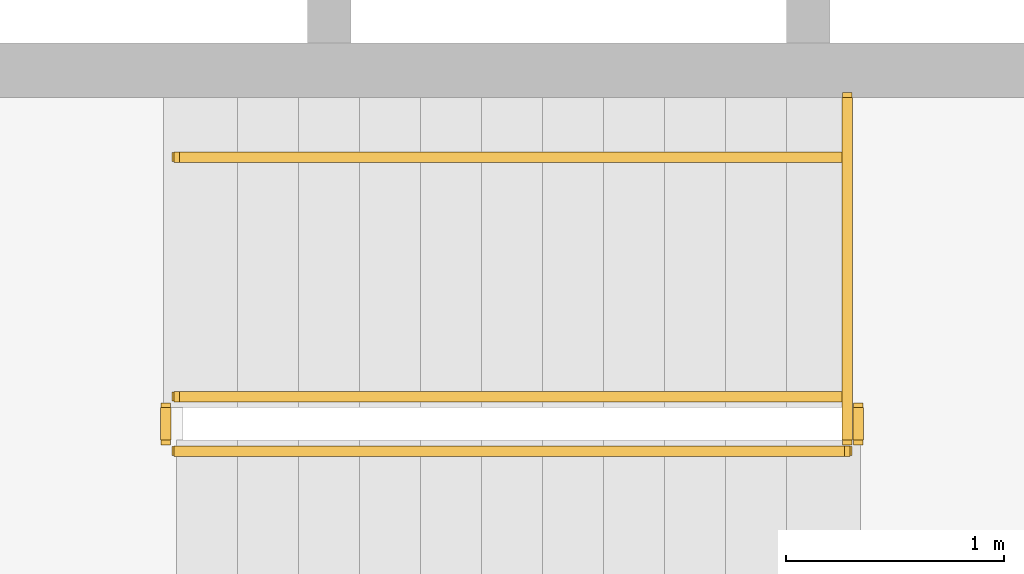
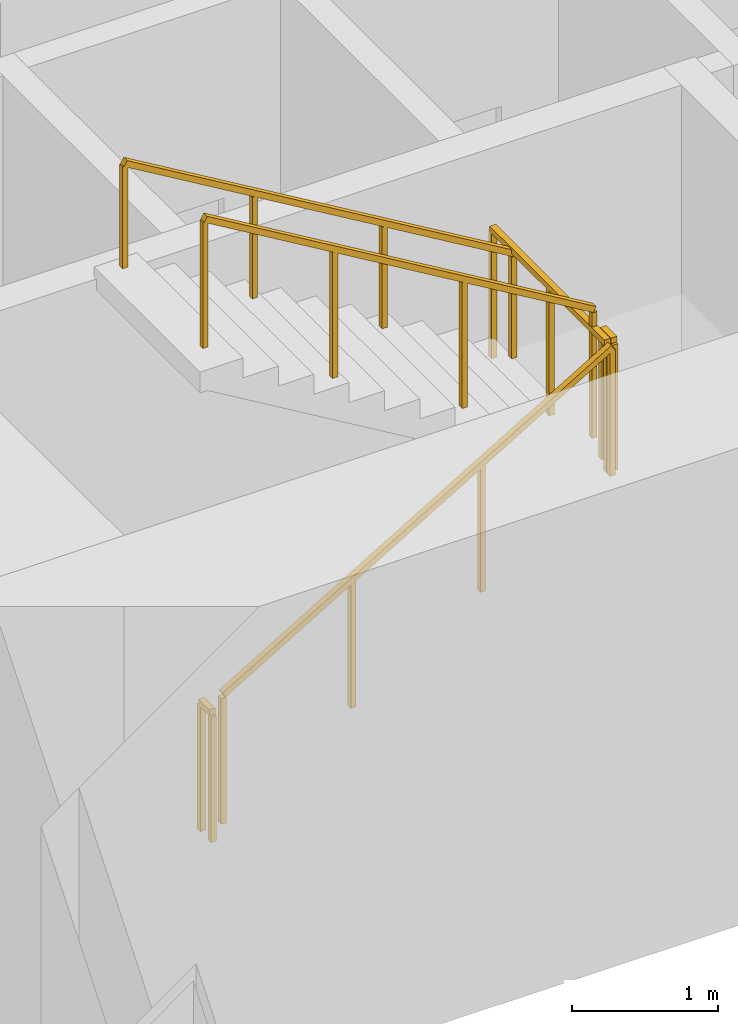
# One storey, part 13 of 16: 6 railings.
"""IFC4 building model written with IfcOpenShell, lengths in metres."""

from ifc_helpers import new_model, si_unit, direction, frame, origin, origin_2d, place, context, subcontext, project, spatial, rectangle, extrude, material, type_object, element, save


model = new_model("IFC4")

# Units and contexts
model_context = context("Model", 3, precision=1e-05, world=origin(), true_north=direction((0.0, 1.0)))
body_context = subcontext(model_context, "Body", "Model", "MODEL_VIEW")
ifc_project = project(units=[si_unit("LENGTHUNIT", "METRE"), si_unit("AREAUNIT", "SQUARE_METRE"), si_unit("VOLUMEUNIT", "CUBIC_METRE"), si_unit("PLANEANGLEUNIT", "RADIAN"), si_unit("MASSUNIT", "GRAM", prefix="KILO")], contexts=[model_context])

# Site, building, storey
site_placement = place(None, origin())
site = spatial("IfcSite", under=ifc_project, at=site_placement, CompositionType="ELEMENT")
building_placement = place(site_placement, origin())
building = spatial("IfcBuilding", under=site, at=building_placement, Name="Sennacour Bend Tower", CompositionType="ELEMENT")
storey_placement = place(building_placement, frame((0.0, 0.0, 127.0)))
storey = spatial("IfcBuildingStorey", under=building, at=storey_placement, Name="L29", CompositionType="ELEMENT", Elevation=127.0)

# Railings
ifc_material = material(Name="Stainless steel", Category="steel")
railing_type_1 = type_object("IfcRailingType", Name="RL-GUARD-1100", PredefinedType="GUARDRAIL", material=ifc_material)
railing_1_placement = place(storey_placement, frame((56.699951171875, 2.449951171875, 0.166748046875)))
element("IfcRailing", 1, at=railing_1_placement, inside=storey, type_object=railing_type_1, Name="L29 SA1 stair guard 1", PredefinedType="GUARDRAIL", context=body_context, shape_type="SweptSolid", body=[
    extrude(rectangle(XDim=0.048095703125, YDim=0.048095703125, at=origin_2d()), frame((0.0, 0.0, 1.076171875), z_axis=(0.859308565015, 0.0, 0.511457515432), x_axis=(0.0, 1.0, 0.0)), (0.0, 0.0, 1.0), 3.58447265625),
    extrude(rectangle(XDim=0.0419921875, YDim=0.0419921875, at=origin_2d()), origin(), (0.0, 0.0, 1.0), 1.052001953125),
    extrude(rectangle(XDim=0.0419921875, YDim=0.0419921875, at=origin_2d()), frame((1.026611328125, 0.0, 0.611083984375)), (0.0, 0.0, 1.0), 1.052001953125),
    extrude(rectangle(XDim=0.0419921875, YDim=0.0419921875, at=origin_2d()), frame((2.053466796875, 0.0, 1.22216796875)), (0.0, 0.0, 1.0), 1.052001953125),
    extrude(rectangle(XDim=0.0419921875, YDim=0.0419921875, at=origin_2d()), frame((3.080078125, 0.0, 1.833251953125)), (0.0, 0.0, 1.0), 1.052001953125),
])
railing_2_placement = place(storey_placement, frame((59.830078125, 2.5, 2.0)))
element("IfcRailing", 2, at=railing_2_placement, inside=storey, type_object=railing_type_1, Name="L29 SA1 stair guard 2", PredefinedType="GUARDRAIL", context=body_context, shape_type="SweptSolid", body=[
    extrude(rectangle(XDim=0.048095703125, YDim=0.048095703125, at=origin_2d()), frame((0.0, 0.0, 1.076171875), z_axis=(0.0, 1.0, 0.0), x_axis=(-1.0, 0.0, 0.0)), (0.0, 0.0, 1.0), 0.14990234375),
    extrude(rectangle(XDim=0.0419921875, YDim=0.0419921875, at=origin_2d()), origin(), (0.0, 0.0, 1.0), 1.052001953125),
    extrude(rectangle(XDim=0.0419921875, YDim=0.0419921875, at=origin_2d()), frame((0.0, 0.14990234375, 0.0)), (0.0, 0.0, 1.0), 1.052001953125),
])
railing_3_placement = place(storey_placement, frame((59.780029296875, 2.699951171875, 2.166748046875)))
element("IfcRailing", 3, at=railing_3_placement, inside=storey, type_object=railing_type_1, Name="L29 SA1 stair guard 4", PredefinedType="GUARDRAIL", context=body_context, shape_type="SweptSolid", body=[
    extrude(rectangle(XDim=0.048095703125, YDim=0.048095703125, at=origin_2d()), frame((0.0, 0.0, 1.076171875), z_axis=(-0.859308565015, 0.0, 0.511457515432), x_axis=(0.0, -1.0, 0.0)), (0.0, 0.0, 1.0), 3.58447265625),
    extrude(rectangle(XDim=0.0419921875, YDim=0.0419921875, at=origin_2d()), origin(), (0.0, 0.0, 1.0), 1.052001953125),
    extrude(rectangle(XDim=0.0419921875, YDim=0.0419921875, at=origin_2d()), frame((-1.026611328125, 0.0, 0.611083984375)), (0.0, 0.0, 1.0), 1.052001953125),
    extrude(rectangle(XDim=0.0419921875, YDim=0.0419921875, at=origin_2d()), frame((-2.053466796875, 0.0, 1.22216796875)), (0.0, 0.0, 1.0), 1.052001953125),
    extrude(rectangle(XDim=0.0419921875, YDim=0.0419921875, at=origin_2d()), frame((-3.080078125, 0.0, 1.833251953125)), (0.0, 0.0, 1.0), 1.052001953125),
])
railing_4_placement = place(storey_placement, frame((56.64990234375, 2.5, 0.0)))
element("IfcRailing", 4, at=railing_4_placement, inside=storey, type_object=railing_type_1, Name="L29 SA1 stair guard 5", PredefinedType="GUARDRAIL", context=body_context, shape_type="SweptSolid", body=[
    extrude(rectangle(XDim=0.048095703125, YDim=0.048095703125, at=origin_2d()), frame((0.0, 0.0, 1.076171875), z_axis=(0.0, 1.0, 0.0), x_axis=(-1.0, 0.0, 0.0)), (0.0, 0.0, 1.0), 0.14990234375),
    extrude(rectangle(XDim=0.0419921875, YDim=0.0419921875, at=origin_2d()), origin(), (0.0, 0.0, 1.0), 1.052001953125),
    extrude(rectangle(XDim=0.0419921875, YDim=0.0419921875, at=origin_2d()), frame((0.0, 0.14990234375, 0.0)), (0.0, 0.0, 1.0), 1.052001953125),
])
railing_5_placement = place(storey_placement, frame((59.780029296875, 2.5, 2.0)))
element("IfcRailing", 5, at=railing_5_placement, inside=storey, type_object=railing_type_1, Name="L29 SA1 landing edge guard 47", PredefinedType="GUARDRAIL", context=body_context, shape_type="SweptSolid", body=[
    extrude(rectangle(XDim=0.048095703125, YDim=0.048095703125, at=origin_2d()), frame((0.0, 0.0, 1.076171875), z_axis=(0.0, 1.0, 0.0), x_axis=(-1.0, 0.0, 0.0)), (0.0, 0.0, 1.0), 1.574951171875),
    extrude(rectangle(XDim=0.0419921875, YDim=0.0419921875, at=origin_2d()), origin(), (0.0, 0.0, 1.0), 1.052001953125),
    extrude(rectangle(XDim=0.0419921875, YDim=0.0419921875, at=origin_2d()), frame((0.0, 0.78759765625, 0.0)), (0.0, 0.0, 1.0), 1.052001953125),
    extrude(rectangle(XDim=0.0419921875, YDim=0.0419921875, at=origin_2d()), frame((0.0, 1.574951171875, 0.0)), (0.0, 0.0, 1.0), 1.052001953125),
])
railing_type_2 = type_object("IfcRailingType", Name="RL-HANDRAIL-900", PredefinedType="HANDRAIL", material=ifc_material)
railing_6_placement = place(storey_placement, frame((59.780029296875, 3.800048828125, 2.166748046875)))
element("IfcRailing", 6, at=railing_6_placement, inside=storey, type_object=railing_type_2, Name="L29 SA1 stair handrail 2", PredefinedType="HANDRAIL", context=body_context, shape_type="SweptSolid", body=[
    extrude(rectangle(XDim=0.048095703125, YDim=0.048095703125, at=origin_2d()), frame((0.0, 0.0, 0.8759765625), z_axis=(-0.859308565015, 0.0, 0.511457515432), x_axis=(0.0, -1.0, 0.0)), (0.0, 0.0, 1.0), 3.58447265625),
    extrude(rectangle(XDim=0.0419921875, YDim=0.0419921875, at=origin_2d()), origin(), (0.0, 0.0, 1.0), 0.851806640625),
    extrude(rectangle(XDim=0.0419921875, YDim=0.0419921875, at=origin_2d()), frame((-1.026611328125, 0.0, 0.611083984375)), (0.0, 0.0, 1.0), 0.851806640625),
    extrude(rectangle(XDim=0.0419921875, YDim=0.0419921875, at=origin_2d()), frame((-2.053466796875, 0.0, 1.22216796875)), (0.0, 0.0, 1.0), 0.851806640625),
    extrude(rectangle(XDim=0.0419921875, YDim=0.0419921875, at=origin_2d()), frame((-3.080078125, 0.0, 1.833251953125)), (0.0, 0.0, 1.0), 0.851806640625),
])

save(model, "model.ifc")
